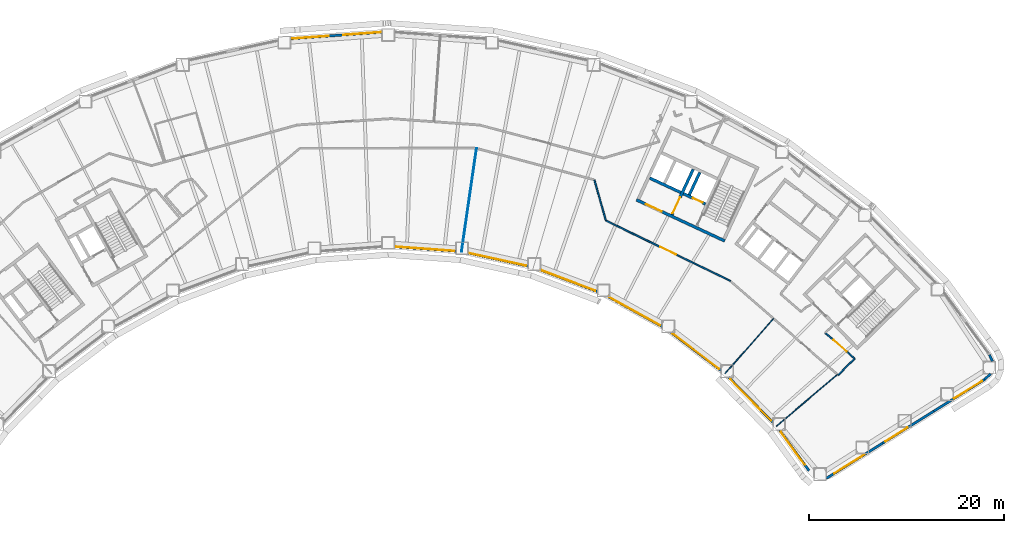
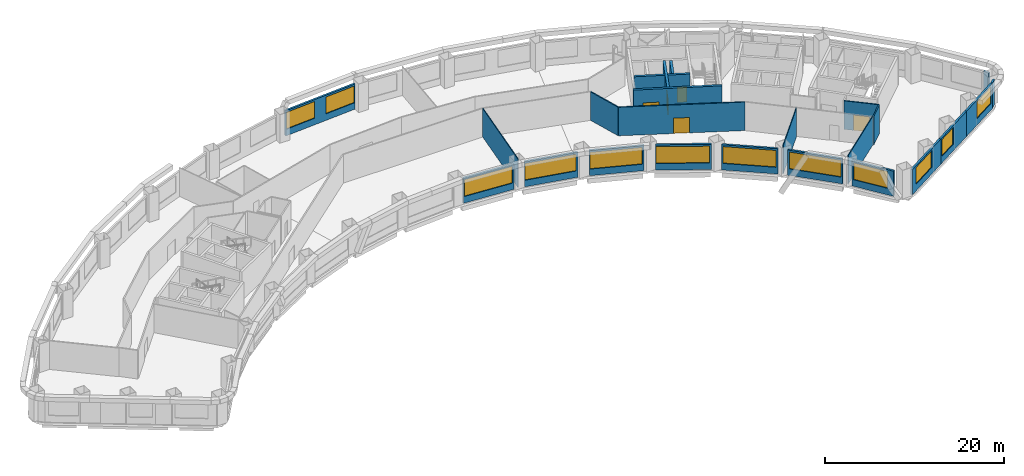
# One storey, part 5 of 11: 25 walls, 12 windows, 5 doors, 17 openings.
"""IFC4 building model written with IfcOpenShell, lengths in metres."""

from ifc_helpers import new_model, si_unit, direction, frame, frame_2d, origin, place, context, subcontext, project, spatial, rectangle, extrude, material, layer, layer_set, type_object, element, fill, save


model = new_model("IFC4")

# Units and contexts
model_context = context("Model", 3, precision=1e-05, world=origin(), true_north=direction((0.0, 1.0)))
body_context = subcontext(model_context, "Body", "Model", "MODEL_VIEW")
ifc_project = project(units=[si_unit("LENGTHUNIT", "METRE"), si_unit("AREAUNIT", "SQUARE_METRE"), si_unit("VOLUMEUNIT", "CUBIC_METRE"), si_unit("PLANEANGLEUNIT", "RADIAN"), si_unit("MASSUNIT", "GRAM", prefix="KILO")], contexts=[model_context])

# Site, building, storey
site_placement = place(None, origin())
site = spatial("IfcSite", under=ifc_project, at=site_placement, CompositionType="ELEMENT")
building_placement = place(site_placement, origin())
building = spatial("IfcBuilding", under=site, at=building_placement, Name="Tuul Gate Civic Tower", CompositionType="ELEMENT")
storey_placement = place(building_placement, frame((0.0, 0.0, 52.5)))
storey = spatial("IfcBuildingStorey", under=building, at=storey_placement, Name="Level 11", CompositionType="ELEMENT", Elevation=52.5)

# Wall, opening, door
ifc_material_1 = material(Name="Concrete C50/60", Category="concrete")
ifc_layer_1 = layer(ifc_material_1, 0.300048828125)
ifc_layer_set_1 = layer_set([ifc_layer_1], Name="Concrete C50/60")
wall_type_1 = type_object("IfcWallType", Name="Core wall C50/60", PredefinedType="SHEAR", material=ifc_layer_set_1)
wall_1_placement = place(storey_placement, frame((34.5283203125, -7.25, 0.0), z_axis=(0.0, 0.0, 1.0), x_axis=(-0.906310338845, 0.422612789327, 0.0)))
wall_1 = element("IfcWall", 1, at=wall_1_placement, inside=storey, type_object=wall_type_1, Name="Core wall", PredefinedType="SHEAR", context=body_context, shape_type="SweptSolid", body=[
    extrude(rectangle(XDim=9.999755859375, YDim=0.300048828125, at=frame_2d((5.0, 0.0))), origin(), (0.0, 0.0, 1.0), 3.89990234375),
])
opening_1_placement = place(wall_1_placement, frame((7.125, 0.0, 0.0)))
opening_1 = element("IfcOpeningElement", 2, at=opening_1_placement, cuts=wall_1, Name="Opening LB-E3-LOBBY-1", PredefinedType="OPENING", context=body_context, shape_type="SweptSolid", body=[
    extrude(rectangle(XDim=1.800048828125, YDim=2.10009765625, at=frame_2d((0.89990234375, 1.050048828125))), frame((0.0, 0.16015625, 0.0), z_axis=(0.0, -1.0, 0.0), x_axis=(1.0, 0.0, 0.0)), (0.0, 0.0, 1.0), 0.320068359375),
])
ifc_material_2 = material(Name="Steel", Category="steel")
door_type_1 = type_object("IfcDoorType", Name="Lobby door", OperationType="DOUBLE_DOOR_SINGLE_SWING", PredefinedType="DOOR", material=ifc_material_2)
door_1_placement = place(opening_1_placement, frame((1.800048828125, 0.0, 0.0), z_axis=(0.0, 0.0, 1.0), x_axis=(-1.0, 0.0, 0.0)))
door_1 = element("IfcDoor", 3, at=door_1_placement, inside=storey, type_object=door_type_1, Name="Lobby door E3-LOBBY", OperationType="DOUBLE_DOOR_SINGLE_SWING", OverallHeight=2.10009765625, OverallWidth=1.800048828125, PredefinedType="DOOR", context=body_context, shape_type="SweptSolid", body=[
    extrude(rectangle(XDim=1.800048828125, YDim=2.10009765625, at=frame_2d((0.900146484375, 1.050048828125))), frame((0.0, 0.02490234375, 0.0), z_axis=(0.0, -1.0, 0.0), x_axis=(1.0, 0.0, 0.0)), (0.0, 0.0, 1.0), 0.050048828125),
])
fill(opening_1, door_1)

wall_2_placement = place(storey_placement, frame((32.545654296875, -3.456787109375, 0.0), z_axis=(0.0, 0.0, 1.0), x_axis=(-0.906300357825, 0.42263419337, 0.0)))
wall_2 = element("IfcWall", 4, at=wall_2_placement, inside=storey, type_object=wall_type_1, Name="Core wall", PredefinedType="SHEAR", context=body_context, shape_type="SweptSolid", body=[
    extrude(rectangle(XDim=2.500244140625, YDim=0.300048828125, at=frame_2d((1.25, 0.0))), origin(), (0.0, 0.0, 1.0), 3.89990234375),
])
opening_2_placement = place(wall_2_placement, frame((0.324951171875, 0.0, 0.0)))
opening_2 = element("IfcOpeningElement", 5, at=opening_2_placement, cuts=wall_2, Name="Opening LD-FF-2", PredefinedType="OPENING", context=body_context, shape_type="SweptSolid", body=[
    extrude(rectangle(XDim=1.10009765625, YDim=2.10009765625, at=frame_2d((0.550048828125, 1.050048828125))), frame((0.0, 0.16015625, 0.0), z_axis=(0.0, -1.0, 0.0), x_axis=(1.0, 0.0, 0.0)), (0.0, 0.0, 1.0), 0.320068359375),
])
ifc_material_3 = material(Name="Stainless steel", Category="steel")
door_type_2 = type_object("IfcDoorType", Name="Landing door", OperationType="DOUBLE_DOOR_SLIDING", PredefinedType="DOOR", material=ifc_material_3)
door_2_placement = place(opening_2_placement, origin())
door_2 = element("IfcDoor", 6, at=door_2_placement, inside=storey, type_object=door_type_2, Name="Fire-fighting lift FF-2 landing door", OperationType="DOUBLE_DOOR_SLIDING", OverallHeight=2.10009765625, OverallWidth=1.10009765625, PredefinedType="DOOR", context=body_context, shape_type="SweptSolid", body=[
    extrude(rectangle(XDim=1.10009765625, YDim=2.10009765625, at=frame_2d((0.550048828125, 1.050048828125))), frame((0.0, 0.02490234375, 0.0), z_axis=(0.0, -1.0, 0.0), x_axis=(1.0, 0.0, 0.0)), (0.0, 0.0, 1.0), 0.050048828125),
])
fill(opening_2, door_2)

# Walls
wall_3_placement = place(storey_placement, frame((30.0078125, -2.2734375, 0.0), z_axis=(0.0, 0.0, 1.0), x_axis=(-0.90630071767, 0.422633421716, 0.0)))
element("IfcWall", 7, at=wall_3_placement, inside=storey, type_object=wall_type_1, Name="Core wall", PredefinedType="SHEAR", context=body_context, shape_type="SweptSolid", body=[
    extrude(rectangle(XDim=3.5, YDim=0.300048828125, at=frame_2d((1.75, 0.0))), origin(), (0.0, 0.0, 1.0), 3.89990234375),
])
wall_4_placement = place(storey_placement, frame((30.886962890625, -2.517822265625, 0.0), z_axis=(0.0, 0.0, 1.0), x_axis=(0.422612891016, 0.906310291427, 0.0)))
element("IfcWall", 8, at=wall_4_placement, inside=storey, type_object=wall_type_1, Name="Core wall", PredefinedType="SHEAR", context=body_context, shape_type="SweptSolid", body=[
    extrude(rectangle(XDim=2.550048828125, YDim=0.300048828125, at=frame_2d((1.27490234375, 0.0))), origin(), (0.0, 0.0, 1.0), 3.89990234375),
])

# Wall, opening, door
wall_5_placement = place(storey_placement, frame((29.108642578125, -4.557373046875, 0.0), z_axis=(0.0, 0.0, 1.0), x_axis=(0.422566235356, 0.90633204552, 0.0)))
wall_5 = element("IfcWall", 9, at=wall_5_placement, inside=storey, type_object=wall_type_1, Name="Core wall", PredefinedType="SHEAR", context=body_context, shape_type="SweptSolid", body=[
    extrude(rectangle(XDim=5.150146484375, YDim=0.300048828125, at=frame_2d((2.5751953125, 0.0))), origin(), (0.0, 0.0, 1.0), 3.89990234375),
])
opening_3_placement = place(wall_5_placement, frame((0.175048828125, 0.0, 0.0)))
opening_3 = element("IfcOpeningElement", 10, at=opening_3_placement, cuts=wall_5, Name="Opening LB-E3-FLOBBY-1", PredefinedType="OPENING", context=body_context, shape_type="SweptSolid", body=[
    extrude(rectangle(XDim=1.800048828125, YDim=2.10009765625, at=frame_2d((0.89990234375, 1.050048828125))), frame((0.0, 0.16015625, 0.0), z_axis=(0.0, -1.0, 0.0), x_axis=(1.0, 0.0, 0.0)), (0.0, 0.0, 1.0), 0.320068359375),
])
door_3_placement = place(opening_3_placement, frame((1.800048828125, 0.0, 0.0), z_axis=(0.0, 0.0, 1.0), x_axis=(-1.0, 0.0, 0.0)))
door_3 = element("IfcDoor", 11, at=door_3_placement, inside=storey, type_object=door_type_1, Name="Lobby door E3-FLOBBY", OperationType="DOUBLE_DOOR_SINGLE_SWING", OverallHeight=2.10009765625, OverallWidth=1.800048828125, PredefinedType="DOOR", context=body_context, shape_type="SweptSolid", body=[
    extrude(rectangle(XDim=1.800048828125, YDim=2.10009765625, at=frame_2d((0.900146484375, 1.050048828125))), frame((0.0, 0.02490234375, 0.0), z_axis=(0.0, -1.0, 0.0), x_axis=(1.0, 0.0, 0.0)), (0.0, 0.0, 1.0), 0.050048828125),
])
fill(opening_3, door_3)

# Wall
ifc_material_4 = material(Name="Gypsum board partition")
ifc_layer_2 = layer(ifc_material_4, 0.14990234375)
ifc_layer_set_2 = layer_set([ifc_layer_2], Name="Gypsum board partition")
wall_type_2 = type_object("IfcWallType", Name="Corridor wall P150", PredefinedType="PARTITIONING", material=ifc_layer_set_2)
wall_6_placement = place(storey_placement, frame((46.14892578125, -21.002197265625, 0.0), z_axis=(0.0, 0.0, 1.0), x_axis=(0.711517671747, 0.702668202491, 0.0)))
element("IfcWall", 12, at=wall_6_placement, inside=storey, type_object=wall_type_2, Name="p003", PredefinedType="PARTITIONING", context=body_context, shape_type="SweptSolid", body=[
    extrude(rectangle(XDim=2.400146484375, YDim=0.14990234375, at=frame_2d((1.2001953125, 0.0))), origin(), (0.0, 0.0, 1.0), 3.89990234375),
])

# Wall, opening, door
wall_7_placement = place(storey_placement, frame((44.847412109375, -16.690185546875, 0.0), z_axis=(0.0, 0.0, 1.0), x_axis=(0.753522663516, -0.657421931158, 0.0)))
wall_7 = element("IfcWall", 13, at=wall_7_placement, inside=storey, type_object=wall_type_2, Name="p005", PredefinedType="PARTITIONING", context=body_context, shape_type="SweptSolid", body=[
    extrude(rectangle(XDim=3.99365234375, YDim=0.14990234375, at=frame_2d((1.996826171875, 0.0))), origin(), (0.0, 0.0, 1.0), 3.89990234375),
])
opening_4_placement = place(wall_7_placement, frame((1.0966796875, 0.0, 0.0)))
opening_4 = element("IfcOpeningElement", 14, at=opening_4_placement, cuts=wall_7, Name="Opening C-D01", PredefinedType="OPENING", context=body_context, shape_type="SweptSolid", body=[
    extrude(rectangle(XDim=1.800048828125, YDim=2.10009765625, at=frame_2d((0.89990234375, 1.050048828125))), frame((0.0, 0.0849609375, 0.0), z_axis=(0.0, -1.0, 0.0), x_axis=(1.0, 0.0, 0.0)), (0.0, 0.0, 1.0), 0.169921875),
])
ifc_material_5 = material(Name="Timber door leaf, double", Category="wood")
door_type_3 = type_object("IfcDoorType", Name="Door D18", OperationType="DOUBLE_DOOR_SINGLE_SWING", PredefinedType="DOOR", material=ifc_material_5)
door_4_placement = place(opening_4_placement, origin())
door_4 = element("IfcDoor", 15, at=door_4_placement, inside=storey, type_object=door_type_3, Name="Door C-D01", OperationType="DOUBLE_DOOR_SINGLE_SWING", OverallHeight=2.10009765625, OverallWidth=1.800048828125, PredefinedType="DOOR", context=body_context, shape_type="SweptSolid", body=[
    extrude(rectangle(XDim=1.800048828125, YDim=2.10009765625, at=frame_2d((0.89990234375, 1.050048828125))), frame((0.0, 0.02490234375, 0.0), z_axis=(0.0, -1.0, 0.0), x_axis=(1.0, 0.0, 0.0)), (0.0, 0.0, 1.0), 0.050048828125),
])
fill(opening_4, door_4)

# Wall
wall_8_placement = place(storey_placement, frame((21.154541015625, -0.98486328125, 0.0), z_axis=(0.0, 0.0, 1.0), x_axis=(0.270353602307, -0.962761096908, 0.0)))
element("IfcWall", 16, at=wall_8_placement, inside=storey, type_object=wall_type_2, Name="p044", PredefinedType="PARTITIONING", context=body_context, shape_type="SweptSolid", body=[
    extrude(rectangle(XDim=4.3291015625, YDim=0.14990234375, at=frame_2d((2.16455078125, 0.0))), origin(), (0.0, 0.0, 1.0), 3.89990234375),
])

# Wall, opening, door
wall_9_placement = place(storey_placement, frame((22.325927734375, -5.154296875, 0.0), z_axis=(0.0, 0.0, 1.0), x_axis=(0.899983010457, -0.435924971627, 0.0)))
wall_9 = element("IfcWall", 17, at=wall_9_placement, inside=storey, type_object=wall_type_2, Name="p045", PredefinedType="PARTITIONING", context=body_context, shape_type="SweptSolid", body=[
    extrude(rectangle(XDim=14.197265625, YDim=0.14990234375, at=frame_2d((7.0986328125, 0.0))), origin(), (0.0, 0.0, 1.0), 3.89990234375),
])
opening_5_placement = place(wall_9_placement, frame((6.198486328125, 0.0, 0.0)))
opening_5 = element("IfcOpeningElement", 18, at=opening_5_placement, cuts=wall_9, Name="Opening C-D07", PredefinedType="OPENING", context=body_context, shape_type="SweptSolid", body=[
    extrude(rectangle(XDim=1.800048828125, YDim=2.10009765625, at=frame_2d((0.89990234375, 1.050048828125))), frame((0.0, 0.0849609375, 0.0), z_axis=(0.0, -1.0, 0.0), x_axis=(1.0, 0.0, 0.0)), (0.0, 0.0, 1.0), 0.169921875),
])
door_5_placement = place(opening_5_placement, frame((1.800048828125, 0.0, 0.0), z_axis=(0.0, 0.0, 1.0), x_axis=(-1.0, 0.0, 0.0)))
door_5 = element("IfcDoor", 19, at=door_5_placement, inside=storey, type_object=door_type_3, Name="Door C-D07", OperationType="DOUBLE_DOOR_SINGLE_SWING", OverallHeight=2.10009765625, OverallWidth=1.800048828125, PredefinedType="DOOR", context=body_context, shape_type="SweptSolid", body=[
    extrude(rectangle(XDim=1.800048828125, YDim=2.10009765625, at=frame_2d((0.900146484375, 1.050048828125))), frame((0.0, 0.02490234375, 0.0), z_axis=(0.0, -1.0, 0.0), x_axis=(1.0, 0.0, 0.0)), (0.0, 0.0, 1.0), 0.050048828125),
])
fill(opening_5, door_5)

# Walls
ifc_material_6 = material(Name="Precast concrete C40/50", Category="concrete")
ifc_layer_3 = layer(ifc_material_6, 0.25)
ifc_layer_set_3 = layer_set([ifc_layer_3], Name="Precast concrete C40/50")
wall_type_3 = type_object("IfcWallType", Name="External wall", PredefinedType="STANDARD", material=ifc_layer_set_3)
wall_10_placement = place(storey_placement, frame((61.1904296875, -21.442626953125, 0.0), z_axis=(0.0, 0.0, 1.0), x_axis=(0.722244224905, 0.691638113172, 0.0)))
element("IfcWall", 20, at=wall_10_placement, inside=storey, type_object=wall_type_3, Name="External wall", PredefinedType="STANDARD", context=body_context, shape_type="SweptSolid", body=[
    extrude(rectangle(XDim=0.813720703125, YDim=0.25, at=frame_2d((0.40673828125, 0.0))), origin(), (0.0, 0.0, 1.0), 3.449951171875),
])
wall_11_placement = place(storey_placement, frame((61.973388671875, -19.580078125, 0.0), z_axis=(0.0, 0.0, 1.0), x_axis=(-0.412831515496, 0.910807410934, 0.0)))
element("IfcWall", 21, at=wall_11_placement, inside=storey, type_object=wall_type_3, Name="External wall", PredefinedType="STANDARD", context=body_context, shape_type="SweptSolid", body=[
    extrude(rectangle(XDim=0.7197265625, YDim=0.25, at=frame_2d((0.35986328125, 0.0))), origin(), (0.0, 0.0, 1.0), 3.449951171875),
])

# Wall, openings, windows
wall_12_placement = place(storey_placement, frame((-0.64990234375, 14.177490234375, 0.0), z_axis=(0.0, 0.0, 1.0), x_axis=(-0.997388413682, -0.072224318983, 0.0)))
wall_12 = element("IfcWall", 22, at=wall_12_placement, inside=storey, type_object=wall_type_3, Name="External wall", PredefinedType="STANDARD", context=body_context, shape_type="SweptSolid", body=[
    extrude(rectangle(XDim=9.37353515625, YDim=0.25, at=frame_2d((4.686767578125, 0.0))), origin(), (0.0, 0.0, 1.0), 3.449951171875),
])
opening_6_placement = place(wall_12_placement, frame((0.099853515625, 0.0, 0.89990234375)))
opening_6 = element("IfcOpeningElement", 23, at=opening_6_placement, cuts=wall_12, Name="Opening W22", PredefinedType="OPENING", context=body_context, shape_type="SweptSolid", body=[
    extrude(rectangle(XDim=3.85009765625, YDim=2.300048828125, at=frame_2d((1.925048828125, 1.14990234375))), frame((0.0, 0.135009765625, 0.0), z_axis=(0.0, -1.0, 0.0), x_axis=(1.0, 0.0, 0.0)), (0.0, 0.0, 1.0), 0.27001953125),
])
opening_7_placement = place(wall_12_placement, frame((5.470703125, 0.0, 0.89990234375)))
opening_7 = element("IfcOpeningElement", 24, at=opening_7_placement, cuts=wall_12, Name="Opening W22", PredefinedType="OPENING", context=body_context, shape_type="SweptSolid", body=[
    extrude(rectangle(XDim=3.85009765625, YDim=2.300048828125, at=frame_2d((1.925048828125, 1.14990234375))), frame((0.0, 0.135009765625, 0.0), z_axis=(0.0, -1.0, 0.0), x_axis=(1.0, 0.0, 0.0)), (0.0, 0.0, 1.0), 0.27001953125),
])
ifc_material_7 = material(Name="Glass", Category="glass")
window_type_1 = type_object("IfcWindowType", Name="Window W22 3850 x 2300", PartitioningType="SINGLE_PANEL", PredefinedType="WINDOW", material=ifc_material_7)
window_1_placement = place(opening_6_placement, origin())
window_1 = element("IfcWindow", 25, at=window_1_placement, inside=storey, type_object=window_type_1, Name="Window", OverallHeight=2.300048828125, OverallWidth=3.85009765625, PartitioningType="SINGLE_PANEL", PredefinedType="WINDOW", context=body_context, shape_type="SweptSolid", body=[
    extrude(rectangle(XDim=3.85009765625, YDim=2.300048828125, at=frame_2d((1.925048828125, 1.14990234375))), frame((0.0, 0.030029296875, 0.0), z_axis=(0.0, -1.0, 0.0), x_axis=(1.0, 0.0, 0.0)), (0.0, 0.0, 1.0), 0.06005859375),
])
fill(opening_6, window_1)
window_2_placement = place(opening_7_placement, origin())
window_2 = element("IfcWindow", 26, at=window_2_placement, inside=storey, type_object=window_type_1, Name="Window", OverallHeight=2.300048828125, OverallWidth=3.85009765625, PartitioningType="SINGLE_PANEL", PredefinedType="WINDOW", context=body_context, shape_type="SweptSolid", body=[
    extrude(rectangle(XDim=3.85009765625, YDim=2.300048828125, at=frame_2d((1.925048828125, 1.14990234375))), frame((0.0, 0.030029296875, 0.0), z_axis=(0.0, -1.0, 0.0), x_axis=(1.0, 0.0, 0.0)), (0.0, 0.0, 1.0), 0.06005859375),
])
fill(opening_7, window_2)

# Wall, opening, window
wall_13_placement = place(storey_placement, frame((0.64990234375, -7.830810546875, 0.0), z_axis=(0.0, 0.0, 1.0), x_axis=(0.997395047269, -0.072132653374, 0.0)))
wall_13 = element("IfcWall", 27, at=wall_13_placement, inside=storey, type_object=wall_type_3, Name="External wall", PredefinedType="STANDARD", context=body_context, shape_type="SweptSolid", body=[
    extrude(rectangle(XDim=6.28857421875, YDim=0.25, at=frame_2d((3.144287109375, 0.0))), origin(), (0.0, 0.0, 1.0), 3.449951171875),
])
opening_8_placement = place(wall_13_placement, frame((0.12060546875, 0.0, 0.89990234375)))
opening_8 = element("IfcOpeningElement", 28, at=opening_8_placement, cuts=wall_13, Name="Opening W26", PredefinedType="OPENING", context=body_context, shape_type="SweptSolid", body=[
    extrude(rectangle(XDim=6.0, YDim=2.300048828125, at=frame_2d((3.0, 1.14990234375))), frame((0.0, 0.135009765625, 0.0), z_axis=(0.0, -1.0, 0.0), x_axis=(1.0, 0.0, 0.0)), (0.0, 0.0, 1.0), 0.27001953125),
])
ifc_material_8 = material(Name="Glass", Category="glass")
window_type_2 = type_object("IfcWindowType", Name="Window W26 6000 x 2300", PartitioningType="SINGLE_PANEL", PredefinedType="WINDOW", material=ifc_material_8)
window_3_placement = place(opening_8_placement, origin())
window_3 = element("IfcWindow", 29, at=window_3_placement, inside=storey, type_object=window_type_2, Name="Window", OverallHeight=2.300048828125, OverallWidth=6.0, PartitioningType="SINGLE_PANEL", PredefinedType="WINDOW", context=body_context, shape_type="SweptSolid", body=[
    extrude(rectangle(XDim=6.0, YDim=2.300048828125, at=frame_2d((3.0, 1.14990234375))), frame((0.0, 0.030029296875, 0.0), z_axis=(0.0, -1.0, 0.0), x_axis=(1.0, 0.0, 0.0)), (0.0, 0.0, 1.0), 0.06005859375),
])
fill(opening_8, window_3)

wall_14_placement = place(storey_placement, frame((8.221923828125, -8.481689453125, 0.0), z_axis=(0.0, 0.0, 1.0), x_axis=(0.97656633669, -0.215216611915, 0.0)))
wall_14 = element("IfcWall", 30, at=wall_14_placement, inside=storey, type_object=wall_type_3, Name="External wall", PredefinedType="STANDARD", context=body_context, shape_type="SweptSolid", body=[
    extrude(rectangle(XDim=6.2607421875, YDim=0.25, at=frame_2d((3.13037109375, 0.0))), origin(), (0.0, 0.0, 1.0), 3.449951171875),
])
opening_9_placement = place(wall_14_placement, frame((0.05859375, 0.0, 0.89990234375)))
opening_9 = element("IfcOpeningElement", 31, at=opening_9_placement, cuts=wall_14, Name="Opening W26", PredefinedType="OPENING", context=body_context, shape_type="SweptSolid", body=[
    extrude(rectangle(XDim=6.0, YDim=2.300048828125, at=frame_2d((3.0, 1.14990234375))), frame((0.0, 0.135009765625, 0.0), z_axis=(0.0, -1.0, 0.0), x_axis=(1.0, 0.0, 0.0)), (0.0, 0.0, 1.0), 0.27001953125),
])
window_4_placement = place(opening_9_placement, origin())
window_4 = element("IfcWindow", 32, at=window_4_placement, inside=storey, type_object=window_type_2, Name="Window", OverallHeight=2.300048828125, OverallWidth=6.0, PartitioningType="SINGLE_PANEL", PredefinedType="WINDOW", context=body_context, shape_type="SweptSolid", body=[
    extrude(rectangle(XDim=6.0, YDim=2.300048828125, at=frame_2d((3.0, 1.14990234375))), frame((0.0, 0.030029296875, 0.0), z_axis=(0.0, -1.0, 0.0), x_axis=(1.0, 0.0, 0.0)), (0.0, 0.0, 1.0), 0.06005859375),
])
fill(opening_9, window_4)

wall_15_placement = place(storey_placement, frame((15.635986328125, -10.23291015625, 0.0), z_axis=(0.0, 0.0, 1.0), x_axis=(0.935359836581, -0.353697577193, 0.0)))
wall_15 = element("IfcWall", 33, at=wall_15_placement, inside=storey, type_object=wall_type_3, Name="External wall", PredefinedType="STANDARD", context=body_context, shape_type="SweptSolid", body=[
    extrude(rectangle(XDim=6.201904296875, YDim=0.25, at=frame_2d((3.10107421875, 0.0))), origin(), (0.0, 0.0, 1.0), 3.449951171875),
])
opening_10_placement = place(wall_15_placement, frame((0.0458984375, 0.0, 0.89990234375)))
opening_10 = element("IfcOpeningElement", 34, at=opening_10_placement, cuts=wall_15, Name="Opening W101", PredefinedType="OPENING", context=body_context, shape_type="SweptSolid", body=[
    extrude(rectangle(XDim=5.949951171875, YDim=2.300048828125, at=frame_2d((2.97509765625, 1.14990234375))), frame((0.0, 0.135009765625, 0.0), z_axis=(0.0, -1.0, 0.0), x_axis=(1.0, 0.0, 0.0)), (0.0, 0.0, 1.0), 0.27001953125),
])
ifc_material_9 = material(Name="Glass", Category="glass")
window_type_3 = type_object("IfcWindowType", Name="Window W101 5950 x 2300", PartitioningType="SINGLE_PANEL", PredefinedType="WINDOW", material=ifc_material_9)
window_5_placement = place(opening_10_placement, origin())
window_5 = element("IfcWindow", 35, at=window_5_placement, inside=storey, type_object=window_type_3, Name="Window", OverallHeight=2.300048828125, OverallWidth=5.949951171875, PartitioningType="SINGLE_PANEL", PredefinedType="WINDOW", context=body_context, shape_type="SweptSolid", body=[
    extrude(rectangle(XDim=5.949951171875, YDim=2.300048828125, at=frame_2d((2.97509765625, 1.14990234375))), frame((0.0, 0.030029296875, 0.0), z_axis=(0.0, -1.0, 0.0), x_axis=(1.0, 0.0, 0.0)), (0.0, 0.0, 1.0), 0.06005859375),
])
fill(opening_10, window_5)

wall_16_placement = place(storey_placement, frame((22.589599609375, -12.97509765625, 0.0), z_axis=(0.0, 0.0, 1.0), x_axis=(0.874630436192, -0.484790264018, 0.0)))
wall_16 = element("IfcWall", 36, at=wall_16_placement, inside=storey, type_object=wall_type_3, Name="External wall", PredefinedType="STANDARD", context=body_context, shape_type="SweptSolid", body=[
    extrude(rectangle(XDim=6.27392578125, YDim=0.25, at=frame_2d((3.136962890625, 0.0))), origin(), (0.0, 0.0, 1.0), 3.449951171875),
])
opening_11_placement = place(wall_16_placement, frame((0.0869140625, 0.0, 0.89990234375)))
opening_11 = element("IfcOpeningElement", 37, at=opening_11_placement, cuts=wall_16, Name="Opening W101", PredefinedType="OPENING", context=body_context, shape_type="SweptSolid", body=[
    extrude(rectangle(XDim=5.949951171875, YDim=2.300048828125, at=frame_2d((2.97509765625, 1.14990234375))), frame((0.0, 0.135009765625, 0.0), z_axis=(0.0, -1.0, 0.0), x_axis=(1.0, 0.0, 0.0)), (0.0, 0.0, 1.0), 0.27001953125),
])
window_6_placement = place(opening_11_placement, origin())
window_6 = element("IfcWindow", 38, at=window_6_placement, inside=storey, type_object=window_type_3, Name="Window", OverallHeight=2.300048828125, OverallWidth=5.949951171875, PartitioningType="SINGLE_PANEL", PredefinedType="WINDOW", context=body_context, shape_type="SweptSolid", body=[
    extrude(rectangle(XDim=5.949951171875, YDim=2.300048828125, at=frame_2d((2.97509765625, 1.14990234375))), frame((0.0, 0.030029296875, 0.0), z_axis=(0.0, -1.0, 0.0), x_axis=(1.0, 0.0, 0.0)), (0.0, 0.0, 1.0), 0.06005859375),
])
fill(opening_11, window_6)

wall_17_placement = place(storey_placement, frame((29.044921875, -16.656005859375, 0.0), z_axis=(0.0, 0.0, 1.0), x_axis=(0.795571471624, -0.605859747416, 0.0)))
wall_17 = element("IfcWall", 39, at=wall_17_placement, inside=storey, type_object=wall_type_3, Name="External wall", PredefinedType="STANDARD", context=body_context, shape_type="SweptSolid", body=[
    extrude(rectangle(XDim=6.375244140625, YDim=0.25, at=frame_2d((3.1875, 0.0))), origin(), (0.0, 0.0, 1.0), 3.449951171875),
])
opening_12_placement = place(wall_17_placement, frame((0.1484375, 0.0, 0.89990234375)))
opening_12 = element("IfcOpeningElement", 40, at=opening_12_placement, cuts=wall_17, Name="Opening W26", PredefinedType="OPENING", context=body_context, shape_type="SweptSolid", body=[
    extrude(rectangle(XDim=6.0, YDim=2.300048828125, at=frame_2d((3.0, 1.14990234375))), frame((0.0, 0.135009765625, 0.0), z_axis=(0.0, -1.0, 0.0), x_axis=(1.0, 0.0, 0.0)), (0.0, 0.0, 1.0), 0.27001953125),
])
window_7_placement = place(opening_12_placement, origin())
window_7 = element("IfcWindow", 41, at=window_7_placement, inside=storey, type_object=window_type_2, Name="Window", OverallHeight=2.300048828125, OverallWidth=6.0, PartitioningType="SINGLE_PANEL", PredefinedType="WINDOW", context=body_context, shape_type="SweptSolid", body=[
    extrude(rectangle(XDim=6.0, YDim=2.300048828125, at=frame_2d((3.0, 1.14990234375))), frame((0.0, 0.030029296875, 0.0), z_axis=(0.0, -1.0, 0.0), x_axis=(1.0, 0.0, 0.0)), (0.0, 0.0, 1.0), 0.06005859375),
])
fill(opening_12, window_7)

wall_18_placement = place(storey_placement, frame((34.948974609375, -21.2548828125, 0.0), z_axis=(0.0, 0.0, 1.0), x_axis=(0.699998211198, -0.714144596227, 0.0)))
wall_18 = element("IfcWall", 42, at=wall_18_placement, inside=storey, type_object=wall_type_3, Name="External wall", PredefinedType="STANDARD", context=body_context, shape_type="SweptSolid", body=[
    extrude(rectangle(XDim=6.40283203125, YDim=0.25, at=frame_2d((3.201416015625, 0.0))), origin(), (0.0, 0.0, 1.0), 3.449951171875),
])
opening_13_placement = place(wall_18_placement, frame((0.203857421875, 0.0, 0.89990234375)))
opening_13 = element("IfcOpeningElement", 43, at=opening_13_placement, cuts=wall_18, Name="Opening W26", PredefinedType="OPENING", context=body_context, shape_type="SweptSolid", body=[
    extrude(rectangle(XDim=6.0, YDim=2.300048828125, at=frame_2d((3.0, 1.14990234375))), frame((0.0, 0.135009765625, 0.0), z_axis=(0.0, -1.0, 0.0), x_axis=(1.0, 0.0, 0.0)), (0.0, 0.0, 1.0), 0.27001953125),
])
window_8_placement = place(opening_13_placement, origin())
window_8 = element("IfcWindow", 44, at=window_8_placement, inside=storey, type_object=window_type_2, Name="Window", OverallHeight=2.300048828125, OverallWidth=6.0, PartitioningType="SINGLE_PANEL", PredefinedType="WINDOW", context=body_context, shape_type="SweptSolid", body=[
    extrude(rectangle(XDim=6.0, YDim=2.300048828125, at=frame_2d((3.0, 1.14990234375))), frame((0.0, 0.030029296875, 0.0), z_axis=(0.0, -1.0, 0.0), x_axis=(1.0, 0.0, 0.0)), (0.0, 0.0, 1.0), 0.06005859375),
])
fill(opening_13, window_8)

wall_19_placement = place(storey_placement, frame((40.1533203125, -26.676025390625, 0.0), z_axis=(0.0, 0.0, 1.0), x_axis=(0.589712900291, -0.807612961282, 0.0)))
wall_19 = element("IfcWall", 45, at=wall_19_placement, inside=storey, type_object=wall_type_3, Name="External wall", PredefinedType="STANDARD", context=body_context, shape_type="SweptSolid", body=[
    extrude(rectangle(XDim=5.120361328125, YDim=0.25, at=frame_2d((2.56005859375, 0.0))), origin(), (0.0, 0.0, 1.0), 3.449951171875),
])
opening_14_placement = place(wall_19_placement, frame((0.218017578125, 0.0, 0.89990234375)))
opening_14 = element("IfcOpeningElement", 46, at=opening_14_placement, cuts=wall_19, Name="Opening W25", PredefinedType="OPENING", context=body_context, shape_type="SweptSolid", body=[
    extrude(rectangle(XDim=4.14990234375, YDim=2.300048828125, at=frame_2d((2.074951171875, 1.14990234375))), frame((0.0, 0.135009765625, 0.0), z_axis=(0.0, -1.0, 0.0), x_axis=(1.0, 0.0, 0.0)), (0.0, 0.0, 1.0), 0.27001953125),
])
ifc_material_10 = material(Name="Glass", Category="glass")
window_type_4 = type_object("IfcWindowType", Name="Window W25 4150 x 2300", PartitioningType="SINGLE_PANEL", PredefinedType="WINDOW", material=ifc_material_10)
window_9_placement = place(opening_14_placement, origin())
window_9 = element("IfcWindow", 47, at=window_9_placement, inside=storey, type_object=window_type_4, Name="Window", OverallHeight=2.300048828125, OverallWidth=4.14990234375, PartitioningType="SINGLE_PANEL", PredefinedType="WINDOW", context=body_context, shape_type="SweptSolid", body=[
    extrude(rectangle(XDim=4.14990234375, YDim=2.300048828125, at=frame_2d((2.074951171875, 1.14990234375))), frame((0.0, 0.030029296875, 0.0), z_axis=(0.0, -1.0, 0.0), x_axis=(1.0, 0.0, 0.0)), (0.0, 0.0, 1.0), 0.06005859375),
])
fill(opening_14, window_9)

wall_20_placement = place(storey_placement, frame((44.950927734375, -31.5869140625, 0.0), z_axis=(0.0, 0.0, 1.0), x_axis=(0.848068815002, 0.529886105707, 0.0)))
wall_20 = element("IfcWall", 48, at=wall_20_placement, inside=storey, type_object=wall_type_3, Name="External wall", PredefinedType="STANDARD", context=body_context, shape_type="SweptSolid", body=[
    extrude(rectangle(XDim=6.807373046875, YDim=0.25, at=frame_2d((3.40380859375, 0.0))), origin(), (0.0, 0.0, 1.0), 3.449951171875),
])
opening_15_placement = place(wall_20_placement, frame((0.943115234375, 0.0, 0.89990234375)))
opening_15 = element("IfcOpeningElement", 49, at=opening_15_placement, cuts=wall_20, Name="Opening W21", PredefinedType="OPENING", context=body_context, shape_type="SweptSolid", body=[
    extrude(rectangle(XDim=3.699951171875, YDim=2.300048828125, at=frame_2d((1.85009765625, 1.14990234375))), frame((0.0, 0.135009765625, 0.0), z_axis=(0.0, -1.0, 0.0), x_axis=(1.0, 0.0, 0.0)), (0.0, 0.0, 1.0), 0.27001953125),
])
ifc_material_11 = material(Name="Glass", Category="glass")
window_type_5 = type_object("IfcWindowType", Name="Window W21 3700 x 2300", PartitioningType="SINGLE_PANEL", PredefinedType="WINDOW", material=ifc_material_11)
window_10_placement = place(opening_15_placement, origin())
window_10 = element("IfcWindow", 50, at=window_10_placement, inside=storey, type_object=window_type_5, Name="Window", OverallHeight=2.300048828125, OverallWidth=3.699951171875, PartitioningType="SINGLE_PANEL", PredefinedType="WINDOW", context=body_context, shape_type="SweptSolid", body=[
    extrude(rectangle(XDim=3.699951171875, YDim=2.300048828125, at=frame_2d((1.85009765625, 1.14990234375))), frame((0.0, 0.030029296875, 0.0), z_axis=(0.0, -1.0, 0.0), x_axis=(1.0, 0.0, 0.0)), (0.0, 0.0, 1.0), 0.06005859375),
])
fill(opening_15, window_10)

wall_21_placement = place(storey_placement, frame((50.72412109375, -27.979736328125, 0.0), z_axis=(0.0, 0.0, 1.0), x_axis=(0.848053758074, 0.529910203164, 0.0)))
wall_21 = element("IfcWall", 51, at=wall_21_placement, inside=storey, type_object=wall_type_3, Name="External wall", PredefinedType="STANDARD", context=body_context, shape_type="SweptSolid", body=[
    extrude(rectangle(XDim=6.182861328125, YDim=0.25, at=frame_2d((3.09130859375, 0.0))), origin(), (0.0, 0.0, 1.0), 3.449951171875),
])
opening_16_placement = place(wall_21_placement, frame((0.3330078125, 0.0, 0.89990234375)))
opening_16 = element("IfcOpeningElement", 52, at=opening_16_placement, cuts=wall_21, Name="Opening W37", PredefinedType="OPENING", context=body_context, shape_type="SweptSolid", body=[
    extrude(rectangle(XDim=2.64990234375, YDim=2.300048828125, at=frame_2d((1.324951171875, 1.14990234375))), frame((0.0, 0.135009765625, 0.0), z_axis=(0.0, -1.0, 0.0), x_axis=(1.0, 0.0, 0.0)), (0.0, 0.0, 1.0), 0.27001953125),
])
ifc_material_12 = material(Name="Glass", Category="glass")
window_type_6 = type_object("IfcWindowType", Name="Window 2650 x 2300", PartitioningType="SINGLE_PANEL", PredefinedType="WINDOW", material=ifc_material_12)
window_11_placement = place(opening_16_placement, origin())
window_11 = element("IfcWindow", 53, at=window_11_placement, inside=storey, type_object=window_type_6, Name="Window", OverallHeight=2.300048828125, OverallWidth=2.64990234375, PartitioningType="SINGLE_PANEL", PredefinedType="WINDOW", context=body_context, shape_type="SweptSolid", body=[
    extrude(rectangle(XDim=2.64990234375, YDim=2.300048828125, at=frame_2d((1.324951171875, 1.14990234375))), frame((0.0, 0.030029296875, 0.0), z_axis=(0.0, -1.0, 0.0), x_axis=(1.0, 0.0, 0.0)), (0.0, 0.0, 1.0), 0.06005859375),
])
fill(opening_16, window_11)

wall_22_placement = place(storey_placement, frame((55.967529296875, -24.703369140625, 0.0), z_axis=(0.0, 0.0, 1.0), x_axis=(0.848042669488, 0.529927948619, 0.0)))
wall_22 = element("IfcWall", 54, at=wall_22_placement, inside=storey, type_object=wall_type_3, Name="External wall", PredefinedType="STANDARD", context=body_context, shape_type="SweptSolid", body=[
    extrude(rectangle(XDim=6.1826171875, YDim=0.25, at=frame_2d((3.09130859375, 0.0))), origin(), (0.0, 0.0, 1.0), 3.449951171875),
])
opening_17_placement = place(wall_22_placement, frame((2.443115234375, 0.0, 0.89990234375)))
opening_17 = element("IfcOpeningElement", 55, at=opening_17_placement, cuts=wall_22, Name="Opening W32", PredefinedType="OPENING", context=body_context, shape_type="SweptSolid", body=[
    extrude(rectangle(XDim=3.39990234375, YDim=2.300048828125, at=frame_2d((1.699951171875, 1.14990234375))), frame((0.0, 0.135009765625, 0.0), z_axis=(0.0, -1.0, 0.0), x_axis=(1.0, 0.0, 0.0)), (0.0, 0.0, 1.0), 0.27001953125),
])
ifc_material_13 = material(Name="Glass", Category="glass")
window_type_7 = type_object("IfcWindowType", Name="Window 3400 x 2300", PartitioningType="SINGLE_PANEL", PredefinedType="WINDOW", material=ifc_material_13)
window_12_placement = place(opening_17_placement, origin())
window_12 = element("IfcWindow", 56, at=window_12_placement, inside=storey, type_object=window_type_7, Name="Window", OverallHeight=2.300048828125, OverallWidth=3.39990234375, PartitioningType="SINGLE_PANEL", PredefinedType="WINDOW", context=body_context, shape_type="SweptSolid", body=[
    extrude(rectangle(XDim=3.39990234375, YDim=2.300048828125, at=frame_2d((1.699951171875, 1.14990234375))), frame((0.0, 0.030029296875, 0.0), z_axis=(0.0, -1.0, 0.0), x_axis=(1.0, 0.0, 0.0)), (0.0, 0.0, 1.0), 0.06005859375),
])
fill(opening_17, window_12)

# Walls
ifc_material_14 = material(Name="Gypsum board partition")
ifc_layer_4 = layer(ifc_material_14, 0.10009765625)
ifc_layer_set_4 = layer_set([ifc_layer_4], Name="Gypsum board partition")
wall_type_4 = type_object("IfcWallType", Name="Partition P100", PredefinedType="PARTITIONING", material=ifc_layer_set_4)
wall_23_placement = place(storey_placement, frame((39.82861328125, -26.239990234375, 0.0), z_axis=(0.0, 0.0, 1.0), x_axis=(0.762826604985, 0.64660310139, 0.0)))
element("IfcWall", 57, at=wall_23_placement, inside=storey, type_object=wall_type_4, Name="p001", PredefinedType="PARTITIONING", context=body_context, shape_type="SweptSolid", body=[
    extrude(rectangle(XDim=8.194580078125, YDim=0.10009765625, at=frame_2d((4.09716796875, 0.0))), origin(), (0.0, 0.0, 1.0), 3.89990234375),
])
wall_24_placement = place(storey_placement, frame((34.547607421875, -20.852783203125, 0.0), z_axis=(0.0, 0.0, 1.0), x_axis=(0.661691382091, 0.749776309886, 0.0)))
element("IfcWall", 58, at=wall_24_placement, inside=storey, type_object=wall_type_4, Name="p041", PredefinedType="PARTITIONING", context=body_context, shape_type="SweptSolid", body=[
    extrude(rectangle(XDim=7.525146484375, YDim=0.10009765625, at=frame_2d((3.7626953125, 0.0))), origin(), (0.0, 0.0, 1.0), 3.89990234375),
])
wall_25_placement = place(storey_placement, frame((7.5244140625, -8.3330078125, 0.0), z_axis=(0.0, 0.0, 1.0), x_axis=(0.14408008354, 0.989566030908, 0.0)))
element("IfcWall", 59, at=wall_25_placement, inside=storey, type_object=wall_type_4, Name="p042", PredefinedType="PARTITIONING", context=body_context, shape_type="SweptSolid", body=[
    extrude(rectangle(XDim=10.69384765625, YDim=0.10009765625, at=frame_2d((5.346923828125, 0.0))), origin(), (0.0, 0.0, 1.0), 3.89990234375),
])

save(model, "model.ifc")
